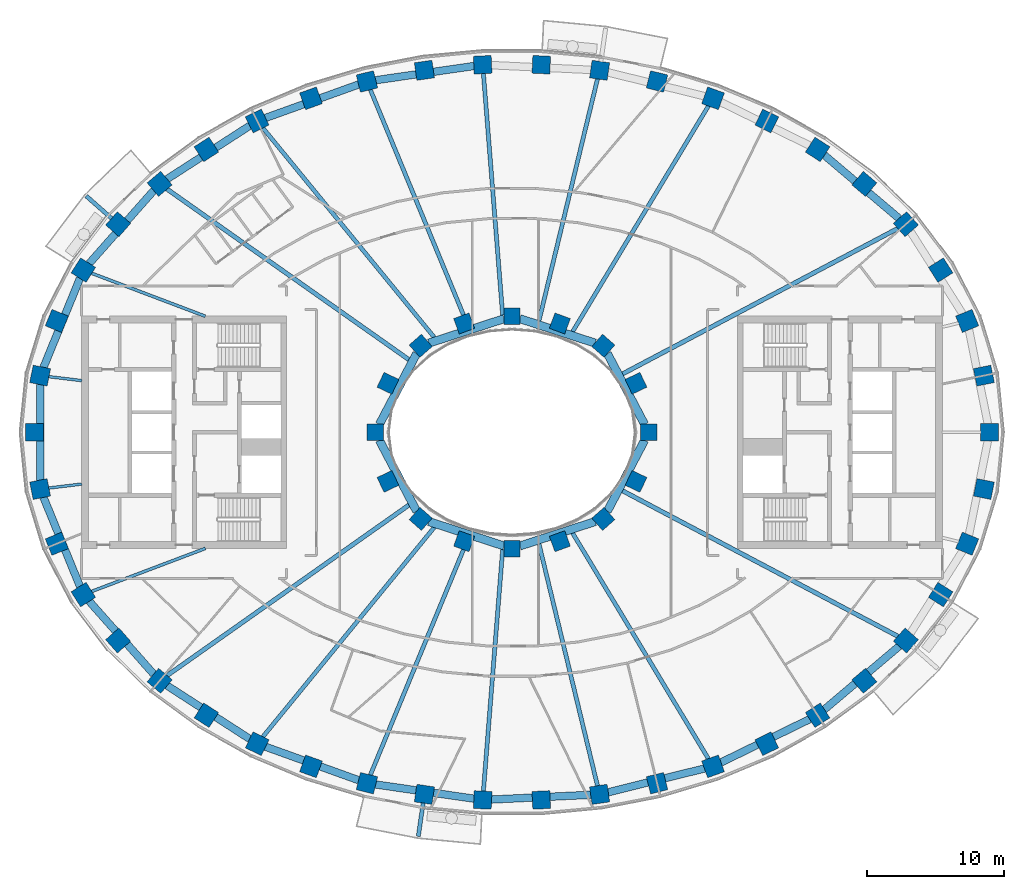
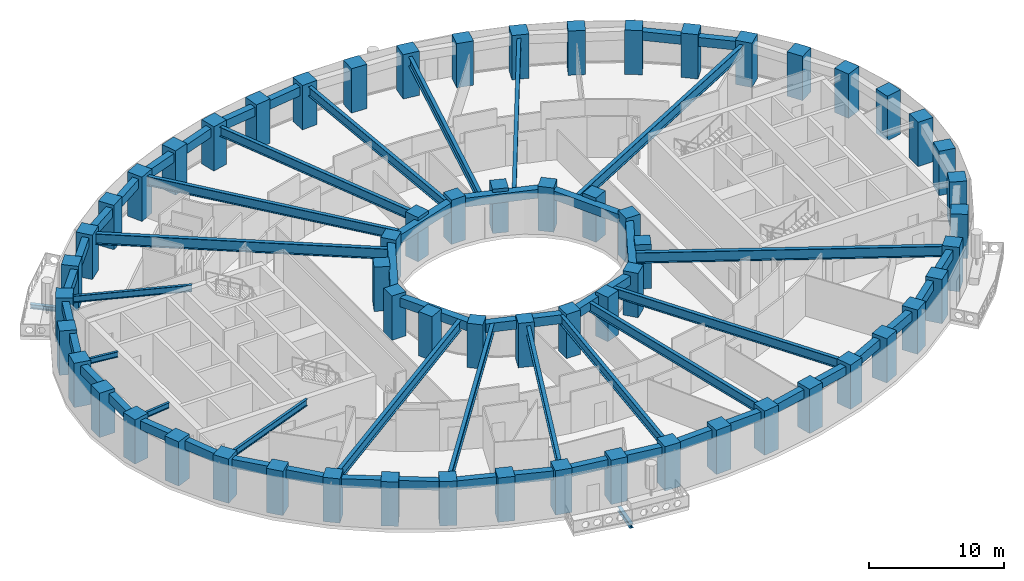
# One storey, part 1 of 17: 62 columns, 44 beams.
"""IFC4 building model written with IfcOpenShell, lengths in metres."""

from ifc_helpers import new_model, si_unit, direction, frame, origin, origin_2d, place, context, subcontext, project, spatial, rectangle, i_section, extrude, material, material_profile, profile_set, type_object, element, save


model = new_model("IFC4")

# Units and contexts
model_context = context("Model", 3, precision=1e-05, world=origin(), true_north=direction((0.0, 1.0)))
body_context = subcontext(model_context, "Body", "Model", "MODEL_VIEW")
ifc_project = project(units=[si_unit("LENGTHUNIT", "METRE"), si_unit("AREAUNIT", "SQUARE_METRE"), si_unit("VOLUMEUNIT", "CUBIC_METRE"), si_unit("PLANEANGLEUNIT", "RADIAN"), si_unit("MASSUNIT", "GRAM", prefix="KILO")], contexts=[model_context])

# Site, building, storey
site_placement = place(None, origin())
site = spatial("IfcSite", under=ifc_project, at=site_placement, CompositionType="ELEMENT")
building_placement = place(site_placement, origin())
building = spatial("IfcBuilding", under=site, at=building_placement, Name="Noorbagh Ring Tower", CompositionType="ELEMENT")
storey_placement = place(building_placement, frame((0.0, 0.0, 112.0)))
storey = spatial("IfcBuildingStorey", under=building, at=storey_placement, Name="L25", CompositionType="ELEMENT", Elevation=112.0)

# Columns
ifc_material_1 = material(Name="Concrete C60/75", Category="concrete")
ifc_material_profile_1 = material_profile(ifc_material_1, rectangle(XDim=1.300048828125, YDim=1.300048828125, at=origin_2d()), Name="RC1300x1300")
ifc_profile_set_1 = profile_set([ifc_material_profile_1], Name="Concrete C60/75")
column_type_1 = type_object("IfcColumnType", Name="STR-COL-RC1300x1300-C60-75", PredefinedType="COLUMN", material=ifc_profile_set_1)
for number, where, z_axis, x_axis, name in (
    (1, (34.944580078125, 0.0, 0.0), (0.0, 0.0, 1.0), (0.0, 1.0, 0.0), "L25/col/R1-01"),
    (2, (34.52685546875, 4.150634765625, 0.0), (0.0, 0.0, 1.0), (-0.19723040178, 0.9803571638, 0.0), "L25/col/R1-02"),
    (3, (33.30517578125, 8.1494140625, 0.0), (0.0, 0.0, 1.0), (-0.378989499959, 0.925400971969, 0.0), "L25/col/R1-03"),
    (4, (31.364990234375, 11.87109375, 0.0), (0.0, 0.0, 1.0), (-0.535190403059, 0.844731455833, 0.0), "L25/col/R1-04"),
    (5, (28.81884765625, 15.23046875, 0.0), (0.0, 0.0, 1.0), (-0.662635642662, 0.748941923699, 0.0), "L25/col/R1-05"),
    (6, (25.78271484375, 18.180419921875, 0.0), (0.0, 0.0, 1.0), (-0.763035199656, 0.646356932419, 0.0), "L25/col/R1-06"),
    (7, (22.362060546875, 20.699951171875, 0.0), (0.0, 0.0, 1.0), (-0.840247639643, 0.542202825586, 0.0), "L25/col/R1-07"),
    (8, (18.646240234375, 22.785400390625, 0.0), (0.0, 0.0, 1.0), (-0.898399080868, 0.439180021741, 0.0), "L25/col/R1-08"),
    (9, (14.70947265625, 24.44091796875, 0.0), (0.0, 0.0, 1.0), (-0.941024726094, 0.338337797003, 0.0), "L25/col/R1-09"),
    (10, (10.61328125, 25.673583984375, 0.0), (0.0, 0.0, 1.0), (-0.970829360981, 0.239771457553, 0.0), "L25/col/R1-10"),
    (11, (6.4091796875, 26.49072265625, 0.0), (0.0, 0.0, 1.0), (-0.989713114048, 0.143066249975, 0.0), "L25/col/R1-11"),
    (12, (2.14306640625, 26.89794921875, 0.0), (0.0, 0.0, 1.0), (-0.998868731212, 0.047552684538, 0.0), "L25/col/R1-12"),
    (13, (-2.14306640625, 26.89794921875, 0.0), (0.0, 0.0, 1.0), (-0.998868731212, -0.047552684538, 0.0), "L25/col/R1-13"),
    (14, (-6.4091796875, 26.49072265625, 0.0), (0.0, 0.0, 1.0), (-0.989713114048, -0.143066249975, 0.0), "L25/col/R1-14"),
    (15, (-10.61328125, 25.673583984375, 0.0), (0.0, 0.0, 1.0), (-0.970829360981, -0.239771457553, 0.0), "L25/col/R1-15"),
    (16, (-14.70947265625, 24.44091796875, 0.0), (0.0, 0.0, 1.0), (-0.941024726094, -0.338337797003, 0.0), "L25/col/R1-16"),
    (17, (-18.646240234375, 22.785400390625, 0.0), (0.0, 0.0, 1.0), (-0.898399080868, -0.439180021741, 0.0), "L25/col/R1-17"),
    (18, (-22.362060546875, 20.699951171875, 0.0), (0.0, 0.0, 1.0), (-0.840247639643, -0.542202825586, 0.0), "L25/col/R1-18"),
    (19, (-25.78271484375, 18.180419921875, 0.0), (0.0, 0.0, 1.0), (-0.763035199656, -0.646356932419, 0.0), "L25/col/R1-19"),
    (20, (-28.81884765625, 15.23046875, 0.0), (0.0, 0.0, 1.0), (-0.662635642662, -0.748941923699, 0.0), "L25/col/R1-20"),
    (21, (-31.364990234375, 11.87109375, 0.0), (0.0, 0.0, 1.0), (-0.535190403059, -0.844731455833, 0.0), "L25/col/R1-21"),
    (22, (-33.30517578125, 8.1494140625, 0.0), (0.0, 0.0, 1.0), (-0.378989499959, -0.925400971969, 0.0), "L25/col/R1-22"),
    (23, (-34.52685546875, 4.150634765625, 0.0), (0.0, 0.0, 1.0), (-0.19723040178, -0.9803571638, 0.0), "L25/col/R1-23"),
    (24, (-34.944580078125, 0.0, 0.0), (0.0, 0.0, 1.0), (0.0, -1.0, 0.0), "L25/col/R1-24"),
    (25, (-34.52685546875, -4.150634765625, 0.0), (0.0, 0.0, 1.0), (0.19723040178, -0.9803571638, 0.0), "L25/col/R1-25"),
    (26, (-33.30517578125, -8.1494140625, 0.0), (0.0, 0.0, 1.0), (0.378989499959, -0.925400971969, 0.0), "L25/col/R1-26"),
    (27, (-31.364990234375, -11.87109375, 0.0), (0.0, 0.0, 1.0), (0.535190403059, -0.844731455833, 0.0), "L25/col/R1-27"),
    (28, (-28.81884765625, -15.23046875, 0.0), (0.0, 0.0, 1.0), (0.662635642662, -0.748941923699, 0.0), "L25/col/R1-28"),
    (29, (-25.78271484375, -18.180419921875, 0.0), (0.0, 0.0, 1.0), (0.763035199656, -0.646356932419, 0.0), "L25/col/R1-29"),
    (30, (-22.362060546875, -20.699951171875, 0.0), (0.0, 0.0, 1.0), (0.840247639643, -0.542202825586, 0.0), "L25/col/R1-30"),
    (31, (-18.646240234375, -22.785400390625, 0.0), (0.0, 0.0, 1.0), (0.898399080868, -0.439180021741, 0.0), "L25/col/R1-31"),
    (32, (-14.70947265625, -24.44091796875, 0.0), (0.0, 0.0, 1.0), (0.941024726094, -0.338337797003, 0.0), "L25/col/R1-32"),
    (33, (-10.61328125, -25.673583984375, 0.0), (0.0, 0.0, 1.0), (0.970829360981, -0.239771457553, 0.0), "L25/col/R1-33"),
    (34, (-6.4091796875, -26.49072265625, 0.0), (0.0, 0.0, 1.0), (0.989713114048, -0.143066249975, 0.0), "L25/col/R1-34"),
    (35, (-2.14306640625, -26.89794921875, 0.0), (0.0, 0.0, 1.0), (0.998868731212, -0.047552684538, 0.0), "L25/col/R1-35"),
    (36, (2.14306640625, -26.89794921875, 0.0), (0.0, 0.0, 1.0), (0.998868731212, 0.047552684538, 0.0), "L25/col/R1-36"),
    (37, (6.4091796875, -26.49072265625, 0.0), (0.0, 0.0, 1.0), (0.989713114048, 0.143066249975, 0.0), "L25/col/R1-37"),
    (38, (10.61328125, -25.673583984375, 0.0), (0.0, 0.0, 1.0), (0.970829360981, 0.239771457553, 0.0), "L25/col/R1-38"),
    (39, (14.70947265625, -24.44091796875, 0.0), (0.0, 0.0, 1.0), (0.941024726094, 0.338337797003, 0.0), "L25/col/R1-39"),
    (40, (18.646240234375, -22.785400390625, 0.0), (0.0, 0.0, 1.0), (0.898399080868, 0.439180021741, 0.0), "L25/col/R1-40"),
    (41, (22.362060546875, -20.699951171875, 0.0), (0.0, 0.0, 1.0), (0.840247639643, 0.542202825586, 0.0), "L25/col/R1-41"),
    (42, (25.78271484375, -18.180419921875, 0.0), (0.0, 0.0, 1.0), (0.763035199656, 0.646356932419, 0.0), "L25/col/R1-42"),
    (43, (28.81884765625, -15.23046875, 0.0), (0.0, 0.0, 1.0), (0.662635642662, 0.748941923699, 0.0), "L25/col/R1-43"),
    (44, (31.364990234375, -11.87109375, 0.0), (0.0, 0.0, 1.0), (0.535190403059, 0.844731455833, 0.0), "L25/col/R1-44"),
    (45, (33.30517578125, -8.1494140625, 0.0), (0.0, 0.0, 1.0), (0.378989499959, 0.925400971969, 0.0), "L25/col/R1-45"),
    (46, (34.52685546875, -4.150634765625, 0.0), (0.0, 0.0, 1.0), (0.19723040178, 0.9803571638, 0.0), "L25/col/R1-46"),
):
    element("IfcColumn", number, at=place(storey_placement, frame(where, z_axis=z_axis, x_axis=x_axis)), inside=storey, type_object=column_type_1, Name=name, PredefinedType="COLUMN", context=body_context, shape_type="SweptSolid", body=[
        extrude(rectangle(XDim=1.300048828125, YDim=1.300048828125, at=origin_2d()), origin(), (0.0, 0.0, 1.0), 4.0),
    ])
ifc_material_2 = material(Name="Concrete C60/75", Category="concrete")
ifc_material_profile_2 = material_profile(ifc_material_2, rectangle(XDim=1.199951171875, YDim=1.199951171875, at=origin_2d()), Name="RC1200x1200")
ifc_profile_set_2 = profile_set([ifc_material_profile_2], Name="Concrete C60/75")
column_type_2 = type_object("IfcColumnType", Name="STR-ICOL-RC1200x1200-C60-75", PredefinedType="COLUMN", material=ifc_profile_set_2)
for number, where, z_axis, x_axis, name in (
    (47, (10.00830078125, 0.0, 0.0), (0.0, 0.0, 1.0), (0.0, 1.0, 0.0), "L25/col/IR2-W01"),
    (48, (9.07568359375, 3.58837890625, 0.0), (0.0, 0.0, 1.0), (-0.428666979171, 0.903462573087, 0.0), "L25/col/IR2-W03"),
    (49, (6.68212890625, 6.333740234375, 0.0), (0.0, 0.0, 1.0), (-0.75102249095, 0.660276622399, 0.0), "L25/col/IR2-W05"),
    (50, (3.5009765625, 7.967041015625, 0.0), (0.0, 0.0, 1.0), (-0.939019578916, 0.343863679984, 0.0), "L25/col/IR2-W07"),
    (51, (0.0, 8.5029296875, 0.0), (0.0, 0.0, 1.0), (-1.0, 0.0, 0.0), "L25/col/IR2-W09"),
    (52, (-3.5009765625, 7.967041015625, 0.0), (0.0, 0.0, 1.0), (-0.939019578916, -0.343863679984, 0.0), "L25/col/IR2-W11"),
    (53, (-6.68212890625, 6.333740234375, 0.0), (0.0, 0.0, 1.0), (-0.75102249095, -0.660276622399, 0.0), "L25/col/IR2-W13"),
    (54, (-9.07568359375, 3.58837890625, 0.0), (0.0, 0.0, 1.0), (-0.428666979171, -0.903462573087, 0.0), "L25/col/IR2-W15"),
    (55, (-10.00830078125, 0.0, 0.0), (0.0, 0.0, 1.0), (0.0, -1.0, 0.0), "L25/col/IR2-W17"),
    (56, (-9.07568359375, -3.58837890625, 0.0), (0.0, 0.0, 1.0), (0.428666979171, -0.903462573087, 0.0), "L25/col/IR2-W19"),
    (57, (-6.68212890625, -6.333740234375, 0.0), (0.0, 0.0, 1.0), (0.75102249095, -0.660276622399, 0.0), "L25/col/IR2-W21"),
    (58, (-3.5009765625, -7.967041015625, 0.0), (0.0, 0.0, 1.0), (0.939019578916, -0.343863679984, 0.0), "L25/col/IR2-W23"),
    (59, (0.0, -8.5029296875, 0.0), (0.0, 0.0, 1.0), (1.0, 0.0, 0.0), "L25/col/IR2-W25"),
    (60, (3.5009765625, -7.967041015625, 0.0), (0.0, 0.0, 1.0), (0.939019578916, 0.343863679984, 0.0), "L25/col/IR2-W27"),
    (61, (6.68212890625, -6.333740234375, 0.0), (0.0, 0.0, 1.0), (0.75102249095, 0.660276622399, 0.0), "L25/col/IR2-W29"),
    (62, (9.07568359375, -3.58837890625, 0.0), (0.0, 0.0, 1.0), (0.428666979171, 0.903462573087, 0.0), "L25/col/IR2-W31"),
):
    element("IfcColumn", number, at=place(storey_placement, frame(where, z_axis=z_axis, x_axis=x_axis)), inside=storey, type_object=column_type_2, Name=name, PredefinedType="COLUMN", context=body_context, shape_type="SweptSolid", body=[
        extrude(rectangle(XDim=1.199951171875, YDim=1.199951171875, at=origin_2d()), origin(), (0.0, 0.0, 1.0), 4.0),
    ])

# Beams
ifc_material_3 = material(Name="Steel S355", Category="steel")
ifc_material_profile_3 = material_profile(ifc_material_3, i_section(OverallWidth=0.300048828125, OverallDepth=0.39990234375, WebThickness=0.013427734375, FlangeThickness=0.02392578125, FilletRadius=0.027099609375, at=origin_2d()), Name="HEB400")
ifc_profile_set_3 = profile_set([ifc_material_profile_3], Name="Steel S355")
beam_type_1 = type_object("IfcBeamType", Name="STR-BALCONY-BRACKET-HEB400", PredefinedType="BEAM", material=ifc_profile_set_3)
beam_1_placement = place(storey_placement, frame((-29.290771484375, 15.64794921875, -0.5), z_axis=(-0.749058582827, 0.662503765645, 0.0), x_axis=(-0.662503765645, -0.749058582827, 0.0)))
element("IfcBeam", 63, at=beam_1_placement, inside=storey, type_object=beam_type_1, Name="Balcony bracket beam BN06", PredefinedType="BEAM", context=body_context, shape_type="SweptSolid", body=[
    extrude(i_section(OverallWidth=0.300048828125, OverallDepth=0.39990234375, WebThickness=0.013427734375, FlangeThickness=0.02392578125, FilletRadius=0.027099609375, at=origin_2d()), origin(), (0.0, 0.0, 1.0), 2.479248046875),
])
beam_2_placement = place(storey_placement, frame((-6.49951171875, -27.1142578125, -0.5), z_axis=(-0.14299620794, -0.989723236322, 0.0), x_axis=(0.989723236322, -0.14299620794, 0.0)))
element("IfcBeam", 64, at=beam_2_placement, inside=storey, type_object=beam_type_1, Name="Balcony bracket beam BS03", PredefinedType="BEAM", context=body_context, shape_type="SweptSolid", body=[
    extrude(i_section(OverallWidth=0.300048828125, OverallDepth=0.39990234375, WebThickness=0.013427734375, FlangeThickness=0.02392578125, FilletRadius=0.027099609375, at=origin_2d()), origin(), (0.0, 0.0, 1.0), 2.473876953125),
])
ifc_material_4 = material(Name="Steel S355", Category="steel")
ifc_material_profile_4 = material_profile(ifc_material_4, i_section(OverallWidth=0.199951171875, OverallDepth=0.5, WebThickness=0.01025390625, FlangeThickness=0.01611328125, FilletRadius=0.02099609375, at=origin_2d()), Name="IPE500")
ifc_profile_set_4 = profile_set([ifc_material_profile_4], Name="Steel S355")
beam_type_2 = type_object("IfcBeamType", Name="STR-RAD-IPE500", PredefinedType="BEAM", material=ifc_profile_set_4)
for number, where, z_axis, x_axis, name in (
    (65, (-33.899169921875, 4.0751953125, 3.449951171875), (0.992852635549, -0.119346738892, 0.0), (0.119346738892, 0.992852635549, 0.0), "L25/bm/RD23"),
    (66, (-33.899169921875, -4.0751953125, 3.449951171875), (0.992852635549, 0.119346738892, 0.0), (-0.119346738892, 0.992852635549, 0.0), "L25/bm/RD25"),
):
    element("IfcBeam", number, at=place(storey_placement, frame(where, z_axis=z_axis, x_axis=x_axis)), inside=storey, type_object=beam_type_2, Name=name, PredefinedType="BEAM", context=body_context, shape_type="SweptSolid", body=[
        extrude(i_section(OverallWidth=0.199951171875, OverallDepth=0.5, WebThickness=0.01025390625, FlangeThickness=0.01611328125, FilletRadius=0.02099609375, at=origin_2d()), origin(), (0.0, 0.0, 1.0), 2.436279296875),
    ])
ifc_material_5 = material(Name="Steel S355", Category="steel")
ifc_material_profile_5 = material_profile(ifc_material_5, i_section(OverallWidth=0.219970703125, OverallDepth=0.60009765625, WebThickness=0.011962890625, FlangeThickness=0.01904296875, FilletRadius=0.02392578125, at=origin_2d()), Name="IPE600")
ifc_profile_set_5 = profile_set([ifc_material_profile_5], Name="Steel S355")
beam_type_3 = type_object("IfcBeamType", Name="STR-RAD-IPE600", PredefinedType="BEAM", material=ifc_profile_set_5)
for number, where, z_axis, x_axis, name in (
    (67, (-30.762939453125, 11.64306640625, 3.39990234375), (0.935256068659, -0.353971871815, 0.0), (0.353971871815, 0.935256068659, 0.0), "L25/bm/RD21"),
    (68, (-30.762939453125, -11.64306640625, 3.39990234375), (0.935256068659, 0.353971871815, 0.0), (-0.353971871815, 0.935256068659, 0.0), "L25/bm/RD27"),
):
    element("IfcBeam", number, at=place(storey_placement, frame(where, z_axis=z_axis, x_axis=x_axis)), inside=storey, type_object=beam_type_3, Name=name, PredefinedType="BEAM", context=body_context, shape_type="SweptSolid", body=[
        extrude(i_section(OverallWidth=0.219970703125, OverallDepth=0.60009765625, WebThickness=0.011962890625, FlangeThickness=0.01904296875, FilletRadius=0.02392578125, at=origin_2d()), origin(), (0.0, 0.0, 1.0), 8.8994140625),
    ])
ifc_material_6 = material(Name="Steel S355", Category="steel")
ifc_material_profile_6 = material_profile(ifc_material_6, i_section(OverallWidth=0.300048828125, OverallDepth=0.85009765625, WebThickness=0.013916015625, FlangeThickness=0.028076171875, at=origin_2d()), Name="PG850x300x14x28")
ifc_profile_set_6 = profile_set([ifc_material_profile_6], Name="Steel S355")
beam_type_4 = type_object("IfcBeamType", Name="STR-RAD-PG850x300x14x28", PredefinedType="BEAM", material=ifc_profile_set_6)
beam_3_placement = place(storey_placement, frame((14.378173828125, 23.89013671875, 3.27490234375), z_axis=(-0.515660214946, -0.85679317383, 0.0), x_axis=(0.85679317383, -0.515660214946, 0.0)))
element("IfcBeam", 69, at=beam_3_placement, inside=storey, type_object=beam_type_4, Name="L25/bm/RD09", PredefinedType="BEAM", context=body_context, shape_type="SweptSolid", body=[
    extrude(i_section(OverallWidth=0.300048828125, OverallDepth=0.85009765625, WebThickness=0.013916015625, FlangeThickness=0.028076171875, at=origin_2d()), origin(), (0.0, 0.0, 1.0), 19.293212890625),
])
beam_4_placement = place(storey_placement, frame((6.260498046875, 25.875732421875, 3.27490234375), z_axis=(-0.235164579981, -0.971955564994, 0.0), x_axis=(0.971955564994, -0.235164579981, 0.0)))
element("IfcBeam", 70, at=beam_4_placement, inside=storey, type_object=beam_type_4, Name="L25/bm/RD11", PredefinedType="BEAM", context=body_context, shape_type="SweptSolid", body=[
    extrude(i_section(OverallWidth=0.300048828125, OverallDepth=0.85009765625, WebThickness=0.013916015625, FlangeThickness=0.028076171875, at=origin_2d()), origin(), (0.0, 0.0, 1.0), 18.230224609375),
])
beam_5_placement = place(storey_placement, frame((-2.093017578125, 26.26953125, 3.27490234375), z_axis=(0.079419392273, -0.996841291345, 0.0), x_axis=(0.996841291345, 0.079419392273, 0.0)))
element("IfcBeam", 71, at=beam_5_placement, inside=storey, type_object=beam_type_4, Name="L25/bm/RD13", PredefinedType="BEAM", context=body_context, shape_type="SweptSolid", body=[
    extrude(i_section(OverallWidth=0.300048828125, OverallDepth=0.85009765625, WebThickness=0.013916015625, FlangeThickness=0.028076171875, at=origin_2d()), origin(), (0.0, 0.0, 1.0), 17.749755859375),
])
beam_6_placement = place(storey_placement, frame((-10.36962890625, 25.084716796875, 3.27490234375), z_axis=(0.38202515603, -0.924151924826, 0.0), x_axis=(0.924151924826, 0.38202515603, 0.0)))
element("IfcBeam", 72, at=beam_6_placement, inside=storey, type_object=beam_type_4, Name="L25/bm/RD15", PredefinedType="BEAM", context=body_context, shape_type="SweptSolid", body=[
    extrude(i_section(OverallWidth=0.300048828125, OverallDepth=0.85009765625, WebThickness=0.013916015625, FlangeThickness=0.028076171875, at=origin_2d()), origin(), (0.0, 0.0, 1.0), 18.750244140625),
])
for number, where, z_axis, x_axis, name in (
    (73, (-18.236083984375, 22.2841796875, 3.27490234375), (0.6333069067, -0.773900744234, 0.0), (0.773900744234, 0.6333069067, 0.0), "L25/bm/RD17"),
    (74, (-18.236083984375, -22.2841796875, 3.27490234375), (0.6333069067, 0.773900744234, 0.0), (-0.773900744234, 0.6333069067, 0.0), "L25/bm/RD31"),
):
    element("IfcBeam", number, at=place(storey_placement, frame(where, z_axis=z_axis, x_axis=x_axis)), inside=storey, type_object=beam_type_4, Name=name, PredefinedType="BEAM", context=body_context, shape_type="SweptSolid", body=[
        extrude(i_section(OverallWidth=0.300048828125, OverallDepth=0.85009765625, WebThickness=0.013916015625, FlangeThickness=0.028076171875, at=origin_2d()), origin(), (0.0, 0.0, 1.0), 19.811767578125),
    ])
beam_7_placement = place(storey_placement, frame((-10.36962890625, -25.084716796875, 3.27490234375), z_axis=(0.38202515603, 0.924151924826, 0.0), x_axis=(-0.924151924826, 0.38202515603, 0.0)))
element("IfcBeam", 75, at=beam_7_placement, inside=storey, type_object=beam_type_4, Name="L25/bm/RD33", PredefinedType="BEAM", context=body_context, shape_type="SweptSolid", body=[
    extrude(i_section(OverallWidth=0.300048828125, OverallDepth=0.85009765625, WebThickness=0.013916015625, FlangeThickness=0.028076171875, at=origin_2d()), origin(), (0.0, 0.0, 1.0), 18.750244140625),
])
beam_8_placement = place(storey_placement, frame((-2.093017578125, -26.26953125, 3.27490234375), z_axis=(0.079419392273, 0.996841291345, 0.0), x_axis=(-0.996841291345, 0.079419392273, 0.0)))
element("IfcBeam", 76, at=beam_8_placement, inside=storey, type_object=beam_type_4, Name="L25/bm/RD35", PredefinedType="BEAM", context=body_context, shape_type="SweptSolid", body=[
    extrude(i_section(OverallWidth=0.300048828125, OverallDepth=0.85009765625, WebThickness=0.013916015625, FlangeThickness=0.028076171875, at=origin_2d()), origin(), (0.0, 0.0, 1.0), 17.749755859375),
])
beam_9_placement = place(storey_placement, frame((6.260498046875, -25.875732421875, 3.27490234375), z_axis=(-0.235164579981, 0.971955564994, 0.0), x_axis=(-0.971955564994, -0.235164579981, 0.0)))
element("IfcBeam", 77, at=beam_9_placement, inside=storey, type_object=beam_type_4, Name="L25/bm/RD37", PredefinedType="BEAM", context=body_context, shape_type="SweptSolid", body=[
    extrude(i_section(OverallWidth=0.300048828125, OverallDepth=0.85009765625, WebThickness=0.013916015625, FlangeThickness=0.028076171875, at=origin_2d()), origin(), (0.0, 0.0, 1.0), 18.230224609375),
])
beam_10_placement = place(storey_placement, frame((14.378173828125, -23.89013671875, 3.27490234375), z_axis=(-0.515660214946, 0.85679317383, 0.0), x_axis=(-0.85679317383, -0.515660214946, 0.0)))
element("IfcBeam", 78, at=beam_10_placement, inside=storey, type_object=beam_type_4, Name="L25/bm/RD39", PredefinedType="BEAM", context=body_context, shape_type="SweptSolid", body=[
    extrude(i_section(OverallWidth=0.300048828125, OverallDepth=0.85009765625, WebThickness=0.013916015625, FlangeThickness=0.028076171875, at=origin_2d()), origin(), (0.0, 0.0, 1.0), 19.293212890625),
])
ifc_material_7 = material(Name="Steel S355", Category="steel")
ifc_material_profile_7 = material_profile(ifc_material_7, i_section(OverallWidth=0.320068359375, OverallDepth=0.949951171875, WebThickness=0.01611328125, FlangeThickness=0.030029296875, at=origin_2d()), Name="PG950x320x16x30")
ifc_profile_set_7 = profile_set([ifc_material_profile_7], Name="Steel S355")
beam_type_5 = type_object("IfcBeamType", Name="STR-RAD-PG950x320x16x30", PredefinedType="BEAM", material=ifc_profile_set_7)
beam_11_placement = place(storey_placement, frame((28.2451171875, 14.92724609375, 3.22509765625), z_axis=(-0.8841222966, -0.467255566746, 0.0), x_axis=(0.467255566746, -0.8841222966, 0.0)))
element("IfcBeam", 79, at=beam_11_placement, inside=storey, type_object=beam_type_5, Name="L25/bm/RD05", PredefinedType="BEAM", context=body_context, shape_type="SweptSolid", body=[
    extrude(i_section(OverallWidth=0.320068359375, OverallDepth=0.949951171875, WebThickness=0.01611328125, FlangeThickness=0.030029296875, at=origin_2d()), origin(), (0.0, 0.0, 1.0), 22.80615234375),
])
for number, where, z_axis, x_axis, name in (
    (80, (-25.250244140625, 17.804931640625, 3.22509765625), (0.817253985622, -0.57627764401, 0.0), (0.57627764401, 0.817253985622, 0.0), "L25/bm/RD19"),
    (81, (-25.250244140625, -17.804931640625, 3.22509765625), (0.817253985622, 0.57627764401, 0.0), (-0.57627764401, 0.817253985622, 0.0), "L25/bm/RD29"),
):
    element("IfcBeam", number, at=place(storey_placement, frame(where, z_axis=z_axis, x_axis=x_axis)), inside=storey, type_object=beam_type_5, Name=name, PredefinedType="BEAM", context=body_context, shape_type="SweptSolid", body=[
        extrude(i_section(OverallWidth=0.320068359375, OverallDepth=0.949951171875, WebThickness=0.01611328125, FlangeThickness=0.030029296875, at=origin_2d()), origin(), (0.0, 0.0, 1.0), 21.677001953125),
    ])
beam_12_placement = place(storey_placement, frame((28.2451171875, -14.92724609375, 3.22509765625), z_axis=(-0.8841222966, 0.467255566746, 0.0), x_axis=(-0.467255566746, -0.8841222966, 0.0)))
element("IfcBeam", 82, at=beam_12_placement, inside=storey, type_object=beam_type_5, Name="L25/bm/RD43", PredefinedType="BEAM", context=body_context, shape_type="SweptSolid", body=[
    extrude(i_section(OverallWidth=0.320068359375, OverallDepth=0.949951171875, WebThickness=0.01611328125, FlangeThickness=0.030029296875, at=origin_2d()), origin(), (0.0, 0.0, 1.0), 22.80615234375),
])
ifc_material_8 = material(Name="Concrete C40/50", Category="concrete")
ifc_material_profile_8 = material_profile(ifc_material_8, rectangle(XDim=0.60009765625, YDim=0.800048828125, at=origin_2d()), Name="RC600x800")
ifc_profile_set_8 = profile_set([ifc_material_profile_8], Name="Concrete C40/50")
beam_type_6 = type_object("IfcBeamType", Name="STR-RB-RC600x800-C40-50", PredefinedType="BEAM", material=ifc_profile_set_8)
beam_13_placement = place(storey_placement, frame((9.70263671875, 0.582275390625, 3.300048828125), z_axis=(-0.464930830504, 0.885347007024, 0.0), x_axis=(-0.885347007024, -0.464930830504, 0.0)))
element("IfcBeam", 83, at=beam_13_placement, inside=storey, type_object=beam_type_6, Name="L25/bm/RG01", PredefinedType="BEAM", context=body_context, shape_type="SweptSolid", body=[
    extrude(rectangle(XDim=0.60009765625, YDim=0.800048828125, at=origin_2d()), origin(), (0.0, 0.0, 1.0), 5.873779296875),
])
for number, where, z_axis, x_axis, name in (
    (84, (6.07958984375, 6.529296875, 3.300048828125), (-0.951141392906, 0.308755648856, 0.0), (-0.308755648856, -0.951141392906, 0.0), "L25/bm/RG03"),
    (85, (-0.5810546875, 8.314208984375, 3.300048828125), (-0.951141392906, -0.308755648856, 0.0), (0.308755648856, -0.951141392906, 0.0), "L25/bm/RG05"),
):
    element("IfcBeam", number, at=place(storey_placement, frame(where, z_axis=z_axis, x_axis=x_axis)), inside=storey, type_object=beam_type_6, Name=name, PredefinedType="BEAM", context=body_context, shape_type="SweptSolid", body=[
        extrude(rectangle(XDim=0.60009765625, YDim=0.800048828125, at=origin_2d()), origin(), (0.0, 0.0, 1.0), 5.781005859375),
    ])
for number, where, z_axis, x_axis, name in (
    (86, (-6.9716796875, 5.78271484375, 3.300048828125), (-0.464930830504, -0.885347007024, 0.0), (0.885347007024, -0.464930830504, 0.0), "L25/bm/RG07"),
    (87, (-9.70263671875, -0.582275390625, 3.300048828125), (0.464930830504, -0.885347007024, 0.0), (0.885347007024, 0.464930830504, 0.0), "L25/bm/RG09"),
):
    element("IfcBeam", number, at=place(storey_placement, frame(where, z_axis=z_axis, x_axis=x_axis)), inside=storey, type_object=beam_type_6, Name=name, PredefinedType="BEAM", context=body_context, shape_type="SweptSolid", body=[
        extrude(rectangle(XDim=0.60009765625, YDim=0.800048828125, at=origin_2d()), origin(), (0.0, 0.0, 1.0), 5.873779296875),
    ])
for number, where, z_axis, x_axis, name in (
    (88, (-6.07958984375, -6.529296875, 3.300048828125), (0.951141392906, -0.308755648856, 0.0), (0.308755648856, 0.951141392906, 0.0), "L25/bm/RG11"),
    (89, (0.5810546875, -8.314208984375, 3.300048828125), (0.951141392906, 0.308755648856, 0.0), (-0.308755648856, 0.951141392906, 0.0), "L25/bm/RG13"),
):
    element("IfcBeam", number, at=place(storey_placement, frame(where, z_axis=z_axis, x_axis=x_axis)), inside=storey, type_object=beam_type_6, Name=name, PredefinedType="BEAM", context=body_context, shape_type="SweptSolid", body=[
        extrude(rectangle(XDim=0.60009765625, YDim=0.800048828125, at=origin_2d()), origin(), (0.0, 0.0, 1.0), 5.781005859375),
    ])
beam_14_placement = place(storey_placement, frame((6.9716796875, -5.78271484375, 3.300048828125), z_axis=(0.464930830504, 0.885347007024, 0.0), x_axis=(-0.885347007024, 0.464930830504, 0.0)))
element("IfcBeam", 90, at=beam_14_placement, inside=storey, type_object=beam_type_6, Name="L25/bm/RG15", PredefinedType="BEAM", context=body_context, shape_type="SweptSolid", body=[
    extrude(rectangle(XDim=0.60009765625, YDim=0.800048828125, at=origin_2d()), origin(), (0.0, 0.0, 1.0), 5.873779296875),
])
ifc_material_9 = material(Name="Concrete C40/50", Category="concrete")
ifc_material_profile_9 = material_profile(ifc_material_9, rectangle(XDim=0.550048828125, YDim=0.800048828125, at=origin_2d()), Name="RC550x800")
ifc_profile_set_9 = profile_set([ifc_material_profile_9], Name="Concrete C40/50")
beam_type_7 = type_object("IfcBeamType", Name="STR-SB-RC550x800-C40-50", PredefinedType="BEAM", material=ifc_profile_set_9)
beam_15_placement = place(storey_placement, frame((28.3330078125, 15.64208984375, 3.300048828125), z_axis=(-0.76303325952, 0.646359222775, 0.0), x_axis=(-0.646359222775, -0.76303325952, 0.0)))
element("IfcBeam", 91, at=beam_15_placement, inside=storey, type_object=beam_type_7, Name="L25/bm/SP05", PredefinedType="BEAM", context=body_context, shape_type="SweptSolid", body=[
    extrude(rectangle(XDim=0.550048828125, YDim=0.800048828125, at=origin_2d()), origin(), (0.0, 0.0, 1.0), 7.18994140625),
])
beam_16_placement = place(storey_placement, frame((-2.769775390625, 26.807373046875, 3.300048828125), z_axis=(-0.989713086327, -0.143066441741, 0.0), x_axis=(0.143066441741, -0.989713086327, 0.0)))
element("IfcBeam", 92, at=beam_16_placement, inside=storey, type_object=beam_type_7, Name="L25/bm/SP13", PredefinedType="BEAM", context=body_context, shape_type="SweptSolid", body=[
    extrude(rectangle(XDim=0.550048828125, YDim=0.800048828125, at=origin_2d()), origin(), (0.0, 0.0, 1.0), 7.291748046875),
])
beam_17_placement = place(storey_placement, frame((-11.209228515625, 25.459228515625, 3.300048828125), z_axis=(-0.941024767496, -0.33833768185, 0.0), x_axis=(0.33833768185, -0.941024767496, 0.0)))
element("IfcBeam", 93, at=beam_17_placement, inside=storey, type_object=beam_type_7, Name="L25/bm/SP15", PredefinedType="BEAM", context=body_context, shape_type="SweptSolid", body=[
    extrude(rectangle(XDim=0.550048828125, YDim=0.800048828125, at=origin_2d()), origin(), (0.0, 0.0, 1.0), 7.269287109375),
])
beam_18_placement = place(storey_placement, frame((-19.179443359375, 22.44140625, 3.300048828125), z_axis=(-0.840245983135, -0.542205392657, 0.0), x_axis=(0.542205392657, -0.840245983135, 0.0)))
element("IfcBeam", 94, at=beam_18_placement, inside=storey, type_object=beam_type_7, Name="L25/bm/SP17", PredefinedType="BEAM", context=body_context, shape_type="SweptSolid", body=[
    extrude(rectangle(XDim=0.550048828125, YDim=0.800048828125, at=origin_2d()), origin(), (0.0, 0.0, 1.0), 7.223388671875),
])
beam_19_placement = place(storey_placement, frame((-26.20458984375, 17.703369140625, 3.300048828125), z_axis=(-0.662640932003, -0.748937243855, 0.0), x_axis=(0.748937243855, -0.662640932003, 0.0)))
element("IfcBeam", 95, at=beam_19_placement, inside=storey, type_object=beam_type_7, Name="L25/bm/SP19", PredefinedType="BEAM", context=body_context, shape_type="SweptSolid", body=[
    extrude(rectangle(XDim=0.550048828125, YDim=0.800048828125, at=origin_2d()), origin(), (0.0, 0.0, 1.0), 7.149169921875),
])
beam_20_placement = place(storey_placement, frame((-31.607666015625, 11.278564453125, 3.300048828125), z_axis=(-0.378973457999, -0.925407541644, 0.0), x_axis=(0.925407541644, -0.378973457999, 0.0)))
element("IfcBeam", 96, at=beam_20_placement, inside=storey, type_object=beam_type_7, Name="L25/bm/SP21", PredefinedType="BEAM", context=body_context, shape_type="SweptSolid", body=[
    extrude(rectangle(XDim=0.550048828125, YDim=0.800048828125, at=origin_2d()), origin(), (0.0, 0.0, 1.0), 7.060546875),
])
beam_21_placement = place(storey_placement, frame((-34.52685546875, 3.507568359375, 3.300048828125), z_axis=(0.0, -1.0, 0.0), x_axis=(1.0, 0.0, 0.0)))
element("IfcBeam", 97, at=beam_21_placement, inside=storey, type_object=beam_type_7, Name="L25/bm/SP23", PredefinedType="BEAM", context=body_context, shape_type="SweptSolid", body=[
    extrude(rectangle(XDim=0.550048828125, YDim=0.800048828125, at=origin_2d()), origin(), (0.0, 0.0, 1.0), 7.01513671875),
])
beam_22_placement = place(storey_placement, frame((-34.283447265625, -4.74462890625, 3.300048828125), z_axis=(0.378973457999, -0.925407541644, 0.0), x_axis=(0.925407541644, 0.378973457999, 0.0)))
element("IfcBeam", 98, at=beam_22_placement, inside=storey, type_object=beam_type_7, Name="L25/bm/SP25", PredefinedType="BEAM", context=body_context, shape_type="SweptSolid", body=[
    extrude(rectangle(XDim=0.550048828125, YDim=0.800048828125, at=origin_2d()), origin(), (0.0, 0.0, 1.0), 7.060546875),
])
beam_23_placement = place(storey_placement, frame((-30.94189453125, -12.34912109375, 3.300048828125), z_axis=(0.662640932003, -0.748937243855, 0.0), x_axis=(0.748937243855, 0.662640932003, 0.0)))
element("IfcBeam", 99, at=beam_23_placement, inside=storey, type_object=beam_type_7, Name="L25/bm/SP27", PredefinedType="BEAM", context=body_context, shape_type="SweptSolid", body=[
    extrude(rectangle(XDim=0.550048828125, YDim=0.800048828125, at=origin_2d()), origin(), (0.0, 0.0, 1.0), 7.149169921875),
])
beam_24_placement = place(storey_placement, frame((-25.248779296875, -18.52490234375, 3.300048828125), z_axis=(0.840245983135, -0.542205392657, 0.0), x_axis=(0.542205392657, 0.840245983135, 0.0)))
element("IfcBeam", 100, at=beam_24_placement, inside=storey, type_object=beam_type_7, Name="L25/bm/SP29", PredefinedType="BEAM", context=body_context, shape_type="SweptSolid", body=[
    extrude(rectangle(XDim=0.550048828125, YDim=0.800048828125, at=origin_2d()), origin(), (0.0, 0.0, 1.0), 7.223388671875),
])
beam_25_placement = place(storey_placement, frame((-18.0498046875, -22.999755859375, 3.300048828125), z_axis=(0.941024767496, -0.33833768185, 0.0), x_axis=(0.33833768185, 0.941024767496, 0.0)))
element("IfcBeam", 101, at=beam_25_placement, inside=storey, type_object=beam_type_7, Name="L25/bm/SP31", PredefinedType="BEAM", context=body_context, shape_type="SweptSolid", body=[
    extrude(rectangle(XDim=0.550048828125, YDim=0.800048828125, at=origin_2d()), origin(), (0.0, 0.0, 1.0), 7.269287109375),
])
beam_26_placement = place(storey_placement, frame((-9.986572265625, -25.76416015625, 3.300048828125), z_axis=(0.989713086327, -0.143066441741, 0.0), x_axis=(0.143066441741, 0.989713086327, 0.0)))
element("IfcBeam", 102, at=beam_26_placement, inside=storey, type_object=beam_type_7, Name="L25/bm/SP33", PredefinedType="BEAM", context=body_context, shape_type="SweptSolid", body=[
    extrude(rectangle(XDim=0.550048828125, YDim=0.800048828125, at=origin_2d()), origin(), (0.0, 0.0, 1.0), 7.291748046875),
])
beam_27_placement = place(storey_placement, frame((-1.510986328125, -26.867919921875, 3.300048828125), z_axis=(0.998868894653, 0.047549251258, 0.0), x_axis=(-0.047549251258, 0.998868894653, 0.0)))
element("IfcBeam", 103, at=beam_27_placement, inside=storey, type_object=beam_type_7, Name="L25/bm/SP35", PredefinedType="BEAM", context=body_context, shape_type="SweptSolid", body=[
    extrude(rectangle(XDim=0.550048828125, YDim=0.800048828125, at=origin_2d()), origin(), (0.0, 0.0, 1.0), 7.296142578125),
])
beam_28_placement = place(storey_placement, frame((7.02392578125, -26.339111328125, 3.300048828125), z_axis=(0.970826778955, 0.239781911877, 0.0), x_axis=(-0.239781911877, 0.970826778955, 0.0)))
element("IfcBeam", 104, at=beam_28_placement, inside=storey, type_object=beam_type_7, Name="L25/bm/SP37", PredefinedType="BEAM", context=body_context, shape_type="SweptSolid", body=[
    extrude(rectangle(XDim=0.550048828125, YDim=0.800048828125, at=origin_2d()), origin(), (0.0, 0.0, 1.0), 7.282958984375),
])
beam_29_placement = place(storey_placement, frame((15.279052734375, -24.162353515625, 3.300048828125), z_axis=(0.898412117145, 0.43915335336, 0.0), x_axis=(-0.43915335336, 0.898412117145, 0.0)))
element("IfcBeam", 105, at=beam_29_placement, inside=storey, type_object=beam_type_7, Name="L25/bm/SP39", PredefinedType="BEAM", context=body_context, shape_type="SweptSolid", body=[
    extrude(rectangle(XDim=0.550048828125, YDim=0.800048828125, at=origin_2d()), origin(), (0.0, 0.0, 1.0), 7.249267578125),
])
beam_30_placement = place(storey_placement, frame((22.846923828125, -20.289306640625, 3.300048828125), z_axis=(0.76303325952, 0.646359222775, 0.0), x_axis=(-0.646359222775, 0.76303325952, 0.0)))
element("IfcBeam", 106, at=beam_30_placement, inside=storey, type_object=beam_type_7, Name="L25/bm/SP41", PredefinedType="BEAM", context=body_context, shape_type="SweptSolid", body=[
    extrude(rectangle(XDim=0.550048828125, YDim=0.800048828125, at=origin_2d()), origin(), (0.0, 0.0, 1.0), 7.18994140625),
])

save(model, "model.ifc")
